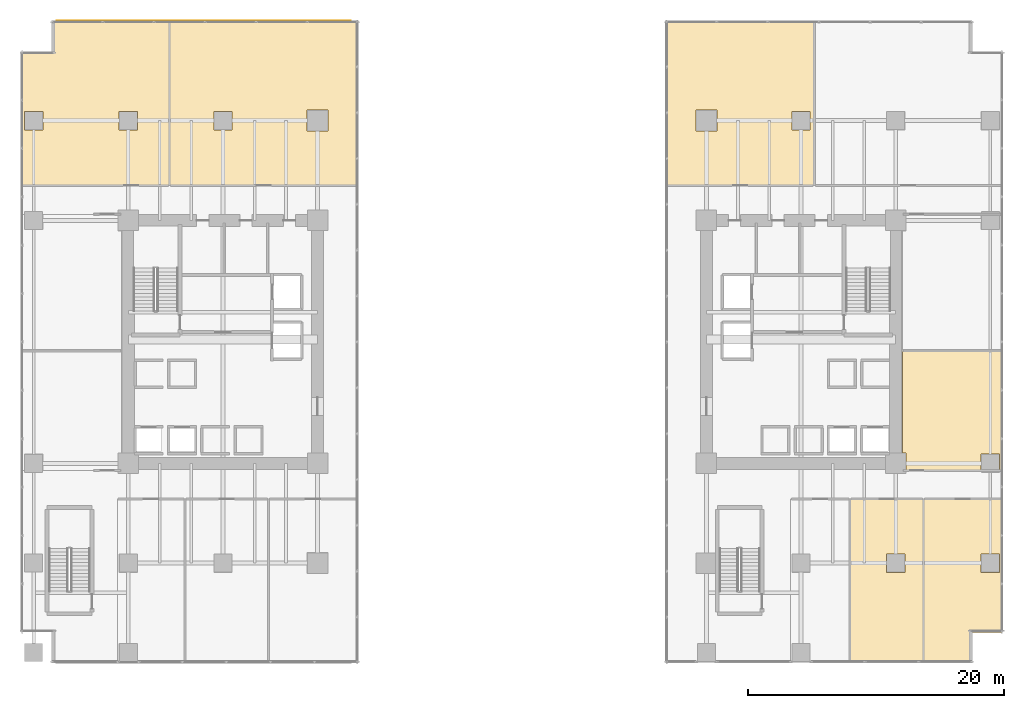
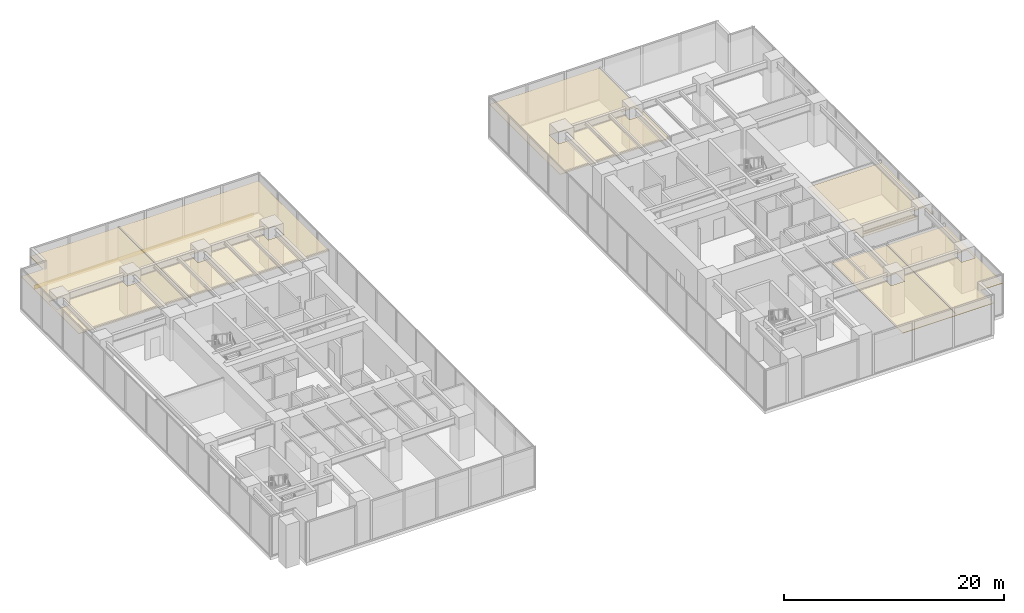
# One storey, part 32 of 33: 7 coverings.
"""IFC4 building model written with IfcOpenShell, lengths in metres."""

from ifc_helpers import new_model, si_unit, direction, frame, frame_2d, origin, place, context, subcontext, project, spatial, polyline, rectangle, outline, extrude, material, layer, layer_set, type_object, element, save


model = new_model("IFC4")

# Units and contexts
model_context = context("Model", 3, precision=1e-05, world=origin(), true_north=direction((0.0, 1.0)))
body_context = subcontext(model_context, "Body", "Model", "MODEL_VIEW")
ifc_project = project(units=[si_unit("LENGTHUNIT", "METRE"), si_unit("AREAUNIT", "SQUARE_METRE"), si_unit("VOLUMEUNIT", "CUBIC_METRE"), si_unit("PLANEANGLEUNIT", "RADIAN"), si_unit("MASSUNIT", "GRAM", prefix="KILO")], contexts=[model_context])

# Site, building, storey
site_placement = place(None, origin())
site = spatial("IfcSite", under=ifc_project, at=site_placement, CompositionType="ELEMENT")
building_placement = place(site_placement, origin())
building = spatial("IfcBuilding", under=site, at=building_placement, Name="Haelvirn Gate Laboratories", CompositionType="ELEMENT")
storey_placement = place(building_placement, frame((0.0, 0.0, 10.199951171875)))
storey = spatial("IfcBuildingStorey", under=building, at=storey_placement, Name="L03", CompositionType="ELEMENT", Elevation=10.199951171875)

# Coverings
ifc_material_1 = material(Name="Washable cleanroom gasketed aluminium ceiling", Category="aluminium")
ifc_layer_1 = layer(ifc_material_1, 0.050048828125, Name="COV-CEIL-CLN")
ifc_layer_set_1 = layer_set([ifc_layer_1], Name="Washable cleanroom gasketed aluminium ceiling")
covering_type_1 = type_object("IfcCoveringType", Name="COV-CEIL-CLN", PredefinedType="CEILING", material=ifc_layer_set_1)
covering_1_placement = place(storey_placement, frame((0.0, 0.0, 3.469970703125)))
element("IfcCovering", 1, at=covering_1_placement, inside=storey, type_object=covering_type_1, Name="L03 Laboratory Acoustic Ceiling CEIL-SP-L03-PODN-W-1", PredefinedType="CEILING", context=body_context, shape_type="SweptSolid", body=[
    extrude(outline(polyline([(1.3798828125, 49.340087890625), (10.614013671875, 49.340087890625), (10.614013671875, 36.5400390625), (-0.909912109375, 36.5400390625), (-0.909912109375, 47.02001953125), (1.3798828125, 47.02001953125), (1.3798828125, 49.340087890625)]), holes=[polyline([(6.679931640625, 42.320068359375), (6.679931640625, 40.8798828125), (8.1201171875, 40.8798828125), (8.1201171875, 42.320068359375), (6.679931640625, 42.320068359375)]), polyline([(0.719970703125, 42.320068359375), (-0.719970703125, 42.320068359375), (-0.719970703125, 40.8798828125), (0.719970703125, 40.8798828125), (0.719970703125, 42.320068359375)])]), origin(), (0.0, 0.0, 1.0), 0.050048828125),
])
covering_2_placement = place(storey_placement, frame((0.0, 0.0, 3.469970703125)))
element("IfcCovering", 2, at=covering_2_placement, inside=storey, type_object=covering_type_1, Name="L03 Laboratory Acoustic Ceiling CEIL-SP-L03-PODN-W-2", PredefinedType="CEILING", context=body_context, shape_type="SweptSolid", body=[
    extrude(outline(polyline([(10.654052734375, 49.340087890625), (25.31005859375, 49.340087890625), (25.31005859375, 36.5400390625), (10.654052734375, 36.5400390625), (10.654052734375, 49.340087890625)]), holes=[polyline([(14.080078125, 42.320068359375), (14.080078125, 40.8798828125), (15.52001953125, 40.8798828125), (15.52001953125, 42.320068359375), (14.080078125, 42.320068359375)]), polyline([(23.02001953125, 42.419921875), (21.3798828125, 42.419921875), (21.3798828125, 40.780029296875), (23.02001953125, 40.780029296875), (23.02001953125, 42.419921875)])]), origin(), (0.0, 0.0, 1.0), 0.050048828125),
])
covering_3_placement = place(storey_placement, frame((0.0, 0.0, 3.469970703125)))
element("IfcCovering", 3, at=covering_3_placement, inside=storey, type_object=covering_type_1, Name="L03 Laboratory Acoustic Ceiling CEIL-SP-L03-PODOUT-E-S", PredefinedType="CEILING", context=body_context, shape_type="SweptSolid", body=[
    extrude(outline(polyline([(68.219970703125, 14.260009765625), (68.219970703125, 15.6201171875), (67.93994140625, 15.6201171875), (67.93994140625, 23.56005859375), (75.7099609375, 23.56005859375), (75.7099609375, 14.260009765625), (75.52001953125, 14.260009765625), (75.52001953125, 15.52001953125), (74.080078125, 15.52001953125), (74.080078125, 14.260009765625), (68.219970703125, 14.260009765625)])), origin(), (0.0, 0.0, 1.0), 0.050048828125),
])
covering_4_placement = place(storey_placement, frame((0.0, 0.0, 3.469970703125)))
element("IfcCovering", 4, at=covering_4_placement, inside=storey, type_object=covering_type_1, Name="L03 Laboratory Acoustic Ceiling CEIL-SP-L03-PODS-E-2", PredefinedType="CEILING", context=body_context, shape_type="SweptSolid", body=[
    extrude(outline(polyline([(69.56201171875, -0.739990234375), (63.862060546875, -0.739990234375), (63.862060546875, 12.02001953125), (69.56201171875, 12.02001953125), (69.56201171875, -0.739990234375)]), holes=[polyline([(68.1201171875, 7.719970703125), (66.679931640625, 7.719970703125), (66.679931640625, 6.280029296875), (68.1201171875, 6.280029296875), (68.1201171875, 7.719970703125)])]), origin(), (0.0, 0.0, 1.0), 0.050048828125),
])
covering_5_placement = place(storey_placement, frame((0.0, 0.0, 3.469970703125)))
element("IfcCovering", 5, at=covering_5_placement, inside=storey, type_object=covering_type_1, Name="L03 Laboratory Acoustic Ceiling CEIL-SP-L03-PODS-E-3", PredefinedType="CEILING", context=body_context, shape_type="SweptSolid", body=[
    extrude(outline(polyline([(73.419921875, -0.739990234375), (69.60205078125, -0.739990234375), (69.60205078125, 12.02001953125), (75.7099609375, 12.02001953125), (75.7099609375, 1.580078125), (73.419921875, 1.580078125), (73.419921875, -0.739990234375)]), holes=[polyline([(75.52001953125, 7.719970703125), (74.080078125, 7.719970703125), (74.080078125, 6.280029296875), (75.52001953125, 6.280029296875), (75.52001953125, 7.719970703125)])]), origin(), (0.0, 0.0, 1.0), 0.050048828125),
])
covering_6_placement = place(storey_placement, frame((0.0, 0.0, 3.469970703125)))
element("IfcCovering", 6, at=covering_6_placement, inside=storey, type_object=covering_type_1, Name="L03 Laboratory Acoustic Ceiling CEIL-SP-L03-PODN-E-1", PredefinedType="CEILING", context=body_context, shape_type="SweptSolid", body=[
    extrude(outline(polyline([(49.489990234375, 49.340087890625), (61.013916015625, 49.340087890625), (61.013916015625, 36.5400390625), (49.489990234375, 36.5400390625), (49.489990234375, 49.340087890625)]), holes=[polyline([(51.780029296875, 42.419921875), (51.780029296875, 40.780029296875), (53.419921875, 40.780029296875), (53.419921875, 42.419921875), (51.780029296875, 42.419921875)]), polyline([(60.719970703125, 42.320068359375), (59.280029296875, 42.320068359375), (59.280029296875, 40.8798828125), (60.719970703125, 40.8798828125), (60.719970703125, 42.320068359375)])]), origin(), (0.0, 0.0, 1.0), 0.050048828125),
])
ifc_material_2 = material(Name="Anodised bronze honeycomb aluminium spandrel cladding", Category="aluminium")
ifc_layer_2 = layer(ifc_material_2, 0.044921875, Name="COV-CLAD-BRZ")
ifc_layer_set_2 = layer_set([ifc_layer_2], Name="Anodised bronze honeycomb aluminium spandrel cladding")
covering_type_2 = type_object("IfcCoveringType", Name="COV-CLAD-BRZ", PredefinedType="CLADDING", material=ifc_layer_set_2)
covering_7_placement = place(storey_placement, frame((1.800048828125, 49.3701171875, -0.300048828125), z_axis=(0.0, 0.0, 1.0), x_axis=(1.0, 0.0, 0.0)))
element("IfcCovering", 7, at=covering_7_placement, inside=storey, type_object=covering_type_2, Name="L03 Bronze Slab-Edge Spandrel Cladding NW", PredefinedType="CLADDING", context=body_context, shape_type="SweptSolid", body=[
    extrude(rectangle(XDim=23.0, YDim=0.044921875, at=frame_2d((11.5, 0.0))), origin(), (0.0, 0.0, 1.0), 0.4501953125),
])

save(model, "model.ifc")
